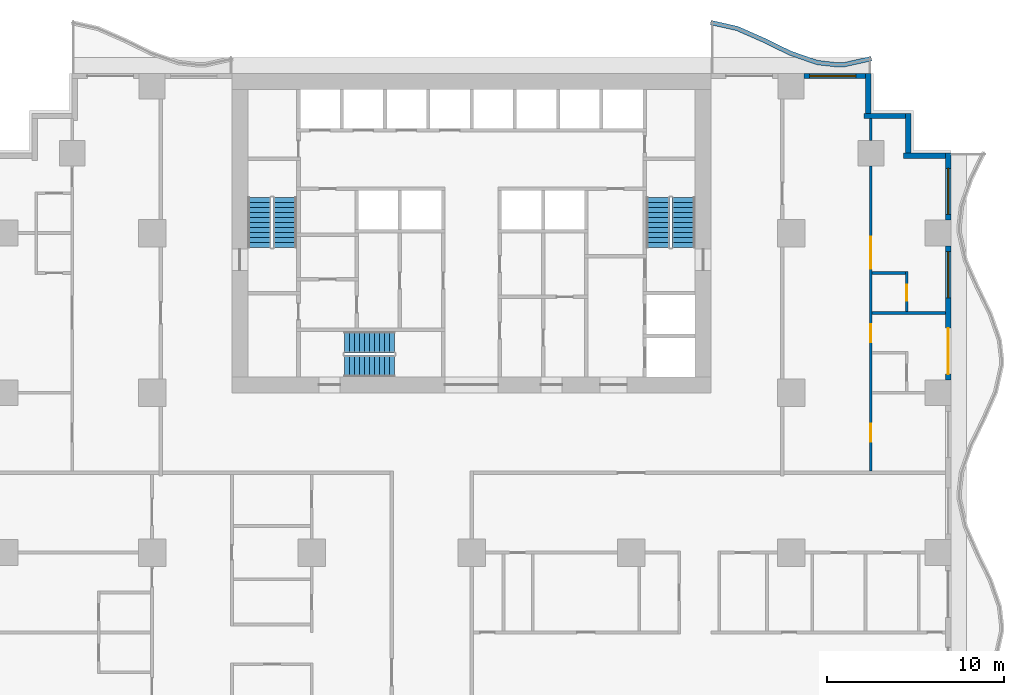
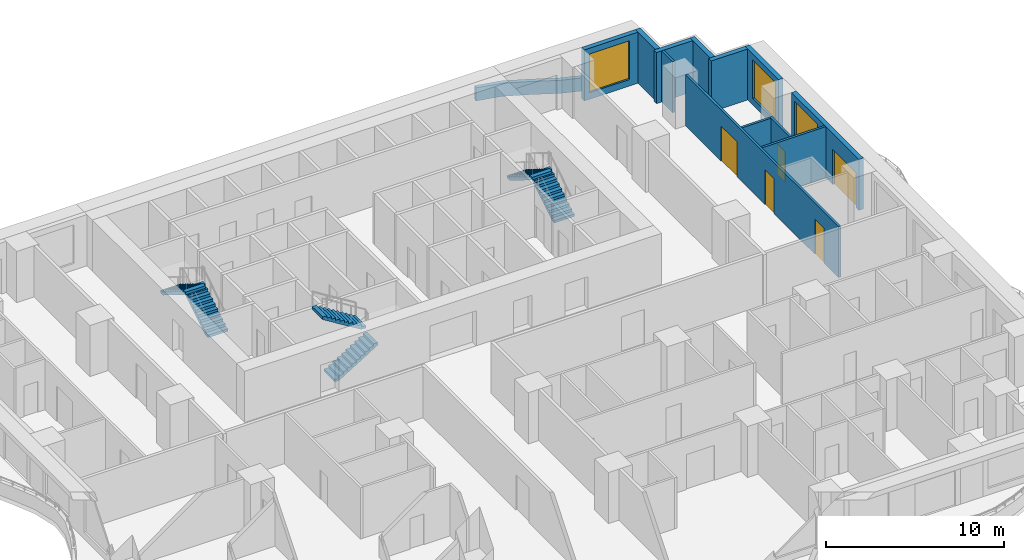
# One storey, part 7 of 14: 13 walls, 6 stair flights, 5 doors, 3 windows, 8 openings, 3 elements without a shape of their own.
"""IFC4 building model written with IfcOpenShell, lengths in metres."""

import ifcopenshell
import ifcopenshell.guid

model = None  # the IFC model being written
_history = None  # IfcOwnerHistory: only IFC2X3 demands one
_inside = {}  # id of a spatial element -> (the spatial element, [elements in it])
_under = {}  # id of a project, library or spatial element -> (it, [spatial elements below it])
_declared = {}  # id of a project -> (the project, [libraries it declares])
_typed = {}  # id of a type object -> (the type object, [elements of that type])
_made_of = {}  # id of a material, layer set ... -> (it, [elements and type objects made of it])


def new_model(schema):
    """Start an empty IFC model of exactly this schema.

    Asked for "IFC4X3", IfcOpenShell would pick the latest addendum, in which some entities
    have other attributes; the version numbers below select the first issue.
    IFC2X3 requires an IfcOwnerHistory on every rooted entity: one is made here for all.
    """
    global model, _history
    if schema == "IFC4X3":
        model = ifcopenshell.file(schema_version=(4, 3, 0, 0))
    else:
        model = ifcopenshell.file(schema=schema)
    _inside.clear()
    _under.clear()
    _declared.clear()
    _typed.clear()
    _made_of.clear()
    _history = None
    if model.schema == "IFC2X3":
        org = make("IfcOrganization", Name="unknown")
        user = make(
            "IfcPersonAndOrganization",
            ThePerson=make("IfcPerson", FamilyName="unknown"),
            TheOrganization=org,
        )
        app = make(
            "IfcApplication",
            ApplicationDeveloper=org,
            Version="unknown",
            ApplicationFullName="unknown",
            ApplicationIdentifier="unknown",
        )
        _history = make(
            "IfcOwnerHistory",
            OwningUser=user,
            OwningApplication=app,
            ChangeAction="ADDED",
            CreationDate=0,
        )
    return model


def make(cls, **values):
    """One entity of the class cls with the attributes given. An attribute that is None is left unset."""
    return model.create_entity(
        cls, **{name: value for name, value in values.items() if value is not None}
    )


def rooted(cls, **values):
    """An entity with a GlobalId (a new one), such as an element, a storey or a relation."""
    return make(cls, GlobalId=ifcopenshell.guid.new(), OwnerHistory=_history, **values)


def si_unit(unit_type, name, prefix=None):
    """IfcSIUnit, for example si_unit("LENGTHUNIT", "METRE", prefix="MILLI")."""
    return make("IfcSIUnit", UnitType=unit_type, Prefix=prefix, Name=name)


def assignment(units):
    """IfcUnitAssignment: the units of a project."""
    return None if units is None else make("IfcUnitAssignment", Units=units)


def point(xyz):
    """IfcCartesianPoint."""
    return None if xyz is None else make("IfcCartesianPoint", Coordinates=xyz)


def direction(xyz):
    """IfcDirection."""
    return None if xyz is None else make("IfcDirection", DirectionRatios=xyz)


def frame(location, z_axis=None, x_axis=None):
    """IfcAxis2Placement3D, a coordinate frame: its origin and axes. An axis left out is left unset."""
    return make(
        "IfcAxis2Placement3D",
        Location=point(location),
        Axis=direction(z_axis),
        RefDirection=direction(x_axis),
    )


def frame_2d(location, x_axis=None):
    """IfcAxis2Placement2D, a coordinate frame in the plane: its origin and x axis."""
    return make(
        "IfcAxis2Placement2D", Location=point(location), RefDirection=direction(x_axis)
    )


def origin():
    """The frame at (0, 0, 0) with its axes left unset."""
    return frame((0.0, 0.0, 0.0))


def place(relative_to, where):
    """IfcLocalPlacement: puts the frame where relative to a parent placement (None: the world)."""
    return make(
        "IfcLocalPlacement", PlacementRelTo=relative_to, RelativePlacement=where
    )


def context(
    kind, dimensions, precision=None, world=None, true_north=None, identifier=None
):
    """IfcGeometricRepresentationContext, for example the 3D "Model" context."""
    return make(
        "IfcGeometricRepresentationContext",
        ContextIdentifier=identifier,
        ContextType=kind,
        CoordinateSpaceDimension=dimensions,
        Precision=precision,
        WorldCoordinateSystem=world,
        TrueNorth=true_north,
    )


def subcontext(parent, identifier, kind, view, scale=None):
    """IfcGeometricRepresentationSubContext, for example "Body" below "Model"."""
    return make(
        "IfcGeometricRepresentationSubContext",
        ContextIdentifier=identifier,
        ContextType=kind,
        ParentContext=parent,
        TargetScale=scale,
        TargetView=view,
    )


def project(units=None, contexts=None):
    """IfcProject with its units and contexts."""
    return rooted(
        "IfcProject",
        Name="project",
        RepresentationContexts=contexts,
        UnitsInContext=assignment(units),
    )


def spatial(cls, under=None, at=None, **own):
    """A site, building, storey or space (cls), placed at a placement, below another one or the project."""
    s = rooted(cls, ObjectPlacement=at, **own)
    if under is not None:
        _under.setdefault(under.id(), (under, []))[1].append(s)
    return s


def polyline(points):
    """IfcPolyline through the points."""
    return make("IfcPolyline", Points=[point(p) for p in points])


def profile(cls, at=None, kind="AREA", **sizes):
    """A parametric profile (cls). Its sizes go by their IFC names, for example OverallWidth=200.0."""
    return make(cls, ProfileType=kind, Position=at, **sizes)


def rectangle(**sizes):
    """IfcRectangleProfileDef."""
    return profile("IfcRectangleProfileDef", **sizes)


def outline(outer, holes=None, kind="AREA"):
    """IfcArbitraryClosedProfileDef: a profile drawn as a closed curve; with holes, ...WithVoids."""
    if holes is None:
        return make("IfcArbitraryClosedProfileDef", ProfileType=kind, OuterCurve=outer)
    return make(
        "IfcArbitraryProfileDefWithVoids",
        ProfileType=kind,
        OuterCurve=outer,
        InnerCurves=holes,
    )


def extrude(swept, where, along, depth):
    """IfcExtrudedAreaSolid: the profile swept, set in the frame where, extruded along a direction by depth."""
    return make(
        "IfcExtrudedAreaSolid",
        SweptArea=swept,
        Position=where,
        ExtrudedDirection=direction(along),
        Depth=depth,
    )


def shape(context_of_items, identifier, shape_type, items):
    """IfcShapeRepresentation: the items that make up one representation, for example the "Body"."""
    return make(
        "IfcShapeRepresentation",
        ContextOfItems=context_of_items,
        RepresentationIdentifier=identifier,
        RepresentationType=shape_type,
        Items=items,
    )


def material(Name=None, Category=None):
    """IfcMaterial."""
    return make("IfcMaterial", Name=Name, Category=Category)


def layer(
    of_material, thickness, ventilated=None, Name=None, Category=None, Priority=None
):
    """IfcMaterialLayer: one layer of a wall or slab, of a material (None: an air gap)."""
    return make(
        "IfcMaterialLayer",
        Material=of_material,
        LayerThickness=thickness,
        IsVentilated=ventilated,
        Name=Name,
        Category=Category,
        Priority=Priority,
    )


def layer_set(layers, Name=None):
    """IfcMaterialLayerSet."""
    return make("IfcMaterialLayerSet", MaterialLayers=layers, LayerSetName=Name)


def made_of(thing, what):
    """Note that an element or type object is made of a material, layer set ...; save() writes the relation."""
    if what is not None:
        _made_of.setdefault(what.id(), (what, []))[1].append(thing)
    return thing


def type_object(cls, material=None, **own):
    """A type object (cls), such as IfcWallType, which elements share."""
    return made_of(rooted(cls, **own), material)


def element(
    cls,
    number,
    at=None,
    inside=None,
    cuts=None,
    type_object=None,
    material=None,
    context=None,
    identifier="Body",
    shape_type=None,
    held_by="IfcProductDefinitionShape",
    body=None,
    shapes=None,
    **own,
):
    """One element of the class cls, such as IfcWall. Its Tag is "e" and its number.

    at: its placement. inside: the storey or other place that contains it. cuts: it is an
    opening in that element (IfcRelVoidsElement). A single representation is given by context,
    identifier, shape_type and body (its items); several are given by shapes. held_by: the class
    of the entity that holds the representations. save() writes the other relations.
    """
    e = rooted(cls, Tag="e%d" % number, ObjectPlacement=at, **own)
    if body is not None:
        shapes = [shape(context, identifier, shape_type, body)]
    if shapes is not None:
        e.Representation = make(held_by, Representations=shapes)
    if inside is not None:
        _inside.setdefault(inside.id(), (inside, []))[1].append(e)
    if cuts is not None:
        rooted(
            "IfcRelVoidsElement", RelatingBuildingElement=cuts, RelatedOpeningElement=e
        )
    if type_object is not None:
        _typed.setdefault(type_object.id(), (type_object, []))[1].append(e)
    return made_of(e, material)


def fill(opening, filler):
    """IfcRelFillsElement: the door or window that sits in an opening."""
    return rooted(
        "IfcRelFillsElement",
        RelatingOpeningElement=opening,
        RelatedBuildingElement=filler,
    )


def aggregate(whole, parts):
    """IfcRelAggregates: a whole, such as a stair, and the parts it consists of."""
    return rooted("IfcRelAggregates", RelatingObject=whole, RelatedObjects=parts)


def save(model, path):
    """Write the relations noted so far, then the file.

    IfcRelAggregates (storeys below a building ...), IfcRelContainedInSpatialStructure (elements
    in a storey), IfcRelDefinesByType, IfcRelAssociatesMaterial and IfcRelDeclares: one each for
    every whole, place, type object, material and project.
    """
    for whole, parts in _under.values():
        aggregate(whole, parts)
    for where, things in _inside.values():
        rooted(
            "IfcRelContainedInSpatialStructure",
            RelatedElements=things,
            RelatingStructure=where,
        )
    for kind, things in _typed.values():
        rooted("IfcRelDefinesByType", RelatedObjects=things, RelatingType=kind)
    for what, things in _made_of.values():
        rooted("IfcRelAssociatesMaterial", RelatedObjects=things, RelatingMaterial=what)
    for by, libraries in _declared.values():
        rooted("IfcRelDeclares", RelatingContext=by, RelatedDefinitions=libraries)
    model.write(path)


model = new_model("IFC4")

# Units and contexts
model_context = context("Model", 3, precision=1e-05, world=origin(), true_north=direction((0.0, 1.0)))
body_context = subcontext(model_context, "Body", "Model", "MODEL_VIEW")
ifc_project = project(units=[si_unit("LENGTHUNIT", "METRE"), si_unit("AREAUNIT", "SQUARE_METRE"), si_unit("VOLUMEUNIT", "CUBIC_METRE"), si_unit("PLANEANGLEUNIT", "RADIAN"), si_unit("MASSUNIT", "GRAM", prefix="KILO")], contexts=[model_context])

# Site, building, storey
site_placement = place(None, origin())
site = spatial("IfcSite", under=ifc_project, at=site_placement, CompositionType="ELEMENT")
building_placement = place(site_placement, origin())
building = spatial("IfcBuilding", under=site, at=building_placement, Name="Orbiselva Terraces", CompositionType="ELEMENT")
storey_placement = place(building_placement, frame((0.0, 0.0, 34.0)))
storey = spatial("IfcBuildingStorey", under=building, at=storey_placement, Name="L08", CompositionType="ELEMENT", Elevation=34.0)

# Wall
ifc_material_1 = material(Name="Concrete C40/50", Category="concrete")
ifc_layer_1 = layer(ifc_material_1, 0.25)
ifc_layer_set_1 = layer_set([ifc_layer_1], Name="Concrete C40/50")
wall_type_1 = type_object("IfcWallType", Name="ENV-PLANTER-250x900", PredefinedType="USERDEFINED", material=ifc_layer_set_1)
wall_1_placement = place(storey_placement, origin())
element("IfcWall", 1, at=wall_1_placement, inside=storey, type_object=wall_type_1, Name="Balcony planter L08 NE", ObjectType="PLANTER", PredefinedType="USERDEFINED", context=body_context, shape_type="SweptSolid", body=[
    extrude(outline(polyline([(22.5, 23.451472), (21.0, 23.114774), (20.625, 23.1), (19.5, 23.230792), (18.0, 23.755211), (16.5, 24.487721), (15.0, 25.148528), (13.5, 25.485226), (13.445246, 25.241296), (14.921492, 24.90993), (16.394714, 24.260919), (17.90356, 23.524089), (19.443629, 22.985662), (20.615428, 22.849429), (21.032565, 22.865863), (22.554754, 23.207542), (22.5, 23.451472)])), origin(), (0.0, 0.0, 1.0), 0.9),
])

# Wall, openings, door, window
ifc_material_2 = material(Name="Terracotta cladding on masonry backing", Category="masonry")
ifc_layer_2 = layer(ifc_material_2, 0.3)
ifc_layer_set_2 = layer_set([ifc_layer_2], Name="Terracotta cladding on masonry backing")
wall_type_2 = type_object("IfcWallType", Name="ENV-WALL-TERRACOTTA-300", PredefinedType="SOLIDWALL", material=ifc_layer_set_2)
wall_2_placement = place(storey_placement, frame((26.85, 12.775, 0.0), z_axis=(0.0, 0.0, 1.0), x_axis=(0.0, -1.0, 0.0)))
wall_2 = element("IfcWall", 2, at=wall_2_placement, inside=storey, type_object=wall_type_2, Name="Facade wall L08 E", PredefinedType="SOLIDWALL", context=body_context, shape_type="SweptSolid", body=[
    extrude(rectangle(XDim=7.55, YDim=0.3, at=frame_2d((3.775, 0.0))), origin(), (0.0, 0.0, 1.0), 3.5),
])
opening_1_placement = place(wall_2_placement, frame((4.625, 0.0, 0.0)))
opening_1 = element("IfcOpeningElement", 3, at=opening_1_placement, cuts=wall_2, Name="Opening Z1-B-E14", PredefinedType="OPENING", context=body_context, shape_type="SweptSolid", body=[
    extrude(rectangle(XDim=2.6, YDim=2.4, at=frame_2d((1.3, 1.2))), frame((0.0, 0.16, 0.0), z_axis=(0.0, -1.0, 0.0), x_axis=(1.0, 0.0, 0.0)), (0.0, 0.0, 1.0), 0.32),
])
opening_2_placement = place(wall_2_placement, frame((0.325, 0.0, 0.45)))
opening_2 = element("IfcOpeningElement", 4, at=opening_2_placement, cuts=wall_2, Name="Opening WN1", PredefinedType="OPENING", context=body_context, shape_type="SweptSolid", body=[
    extrude(rectangle(XDim=2.6, YDim=2.65, at=frame_2d((1.3, 1.325))), frame((0.0, 0.16, 0.0), z_axis=(0.0, -1.0, 0.0), x_axis=(1.0, 0.0, 0.0)), (0.0, 0.0, 1.0), 0.32),
])
ifc_material_3 = material(Name="Clear low-e glazing in aluminium frame", Category="aluminium")
door_type_1 = type_object("IfcDoorType", Name="BALCONY DOOR 2600 X 2400", OperationType="DOUBLE_DOOR_SLIDING", PredefinedType="DOOR", material=ifc_material_3)
door_1_placement = place(opening_1_placement, origin())
door_1 = element("IfcDoor", 5, at=door_1_placement, inside=storey, type_object=door_type_1, Name="Z1-B-E14", OperationType="SINGLE_SWING_LEFT", OverallHeight=2.4, OverallWidth=2.6, PredefinedType="DOOR", context=body_context, shape_type="SweptSolid", body=[
    extrude(rectangle(XDim=2.6, YDim=2.4, at=frame_2d((1.3, 1.2))), frame((0.0, 0.025, 0.0), z_axis=(0.0, -1.0, 0.0), x_axis=(1.0, 0.0, 0.0)), (0.0, 0.0, 1.0), 0.05),
])
fill(opening_1, door_1)
window_type = type_object("IfcWindowType", Name="WINDOW 2600 X 2650 S450", PartitioningType="TRIPLE_PANEL_VERTICAL", PredefinedType="WINDOW", material=ifc_material_3)
window_1_placement = place(opening_2_placement, origin())
window_1 = element("IfcWindow", 6, at=window_1_placement, inside=storey, type_object=window_type, Name="Window L08 E", OverallHeight=2.65, OverallWidth=2.6, PartitioningType="SINGLE_PANEL", PredefinedType="WINDOW", context=body_context, shape_type="SweptSolid", body=[
    extrude(rectangle(XDim=2.6, YDim=2.65, at=frame_2d((1.3, 1.325))), frame((0.0, 0.03, 0.0), z_axis=(0.0, -1.0, 0.0), x_axis=(1.0, 0.0, 0.0)), (0.0, 0.0, 1.0), 0.06),
])
fill(opening_2, window_1)

# Wall, opening, window
wall_3_placement = place(storey_placement, frame((26.85, 18.0, 0.0), z_axis=(0.0, 0.0, 1.0), x_axis=(0.0, -1.0, 0.0)))
wall_3 = element("IfcWall", 7, at=wall_3_placement, inside=storey, type_object=wall_type_2, Name="Facade wall L08 E", PredefinedType="SOLIDWALL", context=body_context, shape_type="SweptSolid", body=[
    extrude(rectangle(XDim=3.775, YDim=0.3, at=frame_2d((1.8875, 0.0))), origin(), (0.0, 0.0, 1.0), 3.5),
])
opening_3_placement = place(wall_3_placement, frame((0.85, 0.0, 0.45)))
opening_3 = element("IfcOpeningElement", 8, at=opening_3_placement, cuts=wall_3, Name="Opening WN1", PredefinedType="OPENING", context=body_context, shape_type="SweptSolid", body=[
    extrude(rectangle(XDim=2.6, YDim=2.65, at=frame_2d((1.3, 1.325))), frame((0.0, 0.16, 0.0), z_axis=(0.0, -1.0, 0.0), x_axis=(1.0, 0.0, 0.0)), (0.0, 0.0, 1.0), 0.32),
])
window_2_placement = place(opening_3_placement, origin())
window_2 = element("IfcWindow", 9, at=window_2_placement, inside=storey, type_object=window_type, Name="Window L08 E", OverallHeight=2.65, OverallWidth=2.6, PartitioningType="SINGLE_PANEL", PredefinedType="WINDOW", context=body_context, shape_type="SweptSolid", body=[
    extrude(rectangle(XDim=2.6, YDim=2.65, at=frame_2d((1.3, 1.325))), frame((0.0, 0.03, 0.0), z_axis=(0.0, -1.0, 0.0), x_axis=(1.0, 0.0, 0.0)), (0.0, 0.0, 1.0), 0.06),
])
fill(opening_3, window_2)

# Walls
wall_4_placement = place(storey_placement, frame((24.35, 17.85, 0.0), z_axis=(0.0, 0.0, 1.0), x_axis=(1.0, 0.0, 0.0)))
element("IfcWall", 10, at=wall_4_placement, inside=storey, type_object=wall_type_2, Name="Facade wall L08 STEP", PredefinedType="SOLIDWALL", context=body_context, shape_type="SweptSolid", body=[
    extrude(rectangle(XDim=2.35, YDim=0.3, at=frame_2d((1.175, 0.0))), origin(), (0.0, 0.0, 1.0), 3.5),
])
wall_5_placement = place(storey_placement, frame((24.6, 20.25, 0.0), z_axis=(0.0, 0.0, 1.0), x_axis=(0.0, -1.0, 0.0)))
element("IfcWall", 11, at=wall_5_placement, inside=storey, type_object=wall_type_2, Name="Facade wall L08 STEP", PredefinedType="SOLIDWALL", context=body_context, shape_type="SweptSolid", body=[
    extrude(rectangle(XDim=2.25, YDim=0.3, at=frame_2d((1.125, 0.0))), origin(), (0.0, 0.0, 1.0), 3.5),
])
wall_6_placement = place(storey_placement, frame((22.1, 20.1, 0.0), z_axis=(0.0, 0.0, 1.0), x_axis=(1.0, 0.0, 0.0)))
element("IfcWall", 12, at=wall_6_placement, inside=storey, type_object=wall_type_2, Name="Facade wall L08 STEP", PredefinedType="SOLIDWALL", context=body_context, shape_type="SweptSolid", body=[
    extrude(rectangle(XDim=2.35, YDim=0.3, at=frame_2d((1.175, 0.0))), origin(), (0.0, 0.0, 1.0), 3.5),
])
wall_7_placement = place(storey_placement, frame((22.35, 22.5, 0.0), z_axis=(0.0, 0.0, 1.0), x_axis=(0.0, -1.0, 0.0)))
element("IfcWall", 13, at=wall_7_placement, inside=storey, type_object=wall_type_2, Name="Facade wall L08 STEP", PredefinedType="SOLIDWALL", context=body_context, shape_type="SweptSolid", body=[
    extrude(rectangle(XDim=2.25, YDim=0.3, at=frame_2d((1.125, 0.0))), origin(), (0.0, 0.0, 1.0), 3.5),
])

# Wall, opening, window
wall_8_placement = place(storey_placement, frame((18.725, 22.35, 0.0), z_axis=(0.0, 0.0, 1.0), x_axis=(1.0, 0.0, 0.0)))
wall_8 = element("IfcWall", 14, at=wall_8_placement, inside=storey, type_object=wall_type_2, Name="Facade wall L08 NE", PredefinedType="SOLIDWALL", context=body_context, shape_type="SweptSolid", body=[
    extrude(rectangle(XDim=3.475, YDim=0.3, at=frame_2d((1.7375, 0.0))), origin(), (0.0, 0.0, 1.0), 3.5),
])
opening_4_placement = place(wall_8_placement, frame((0.325, 0.0, 0.45)))
opening_4 = element("IfcOpeningElement", 15, at=opening_4_placement, cuts=wall_8, Name="Opening WN1", PredefinedType="OPENING", context=body_context, shape_type="SweptSolid", body=[
    extrude(rectangle(XDim=2.6, YDim=2.65, at=frame_2d((1.3, 1.325))), frame((0.0, 0.16, 0.0), z_axis=(0.0, -1.0, 0.0), x_axis=(1.0, 0.0, 0.0)), (0.0, 0.0, 1.0), 0.32),
])
window_3_placement = place(opening_4_placement, origin())
window_3 = element("IfcWindow", 16, at=window_3_placement, inside=storey, type_object=window_type, Name="Window L08 NE", OverallHeight=2.65, OverallWidth=2.6, PartitioningType="SINGLE_PANEL", PredefinedType="WINDOW", context=body_context, shape_type="SweptSolid", body=[
    extrude(rectangle(XDim=2.6, YDim=2.65, at=frame_2d((1.3, 1.325))), frame((0.0, 0.03, 0.0), z_axis=(0.0, -1.0, 0.0), x_axis=(1.0, 0.0, 0.0)), (0.0, 0.0, 1.0), 0.06),
])
fill(opening_4, window_3)

# Walls
ifc_material_4 = material(Name="Plasterboard on steel stud partition", Category="steel")
ifc_layer_3 = layer(ifc_material_4, 0.15)
ifc_layer_set_3 = layer_set([ifc_layer_3], Name="Plasterboard on steel stud partition")
wall_type_3 = type_object("IfcWallType", Name="UNIT-PARTITION-150", PredefinedType="PARTITIONING", material=ifc_layer_set_3)
wall_9_placement = place(storey_placement, frame((22.575, 9.0, 0.0), z_axis=(0.0, 0.0, 1.0), x_axis=(1.0, 0.0, 0.0)))
element("IfcWall", 17, at=wall_9_placement, inside=storey, type_object=wall_type_3, Name="PARTITION L08-035", PredefinedType="PARTITIONING", context=body_context, shape_type="SweptSolid", body=[
    extrude(rectangle(XDim=4.125, YDim=0.15, at=frame_2d((2.0625, 0.0))), origin(), (0.0, 0.0, 1.0), 3.5),
])
wall_10_placement = place(storey_placement, frame((22.575, 11.25, 0.0), z_axis=(0.0, 0.0, 1.0), x_axis=(1.0, 0.0, 0.0)))
element("IfcWall", 18, at=wall_10_placement, inside=storey, type_object=wall_type_3, Name="PARTITION L08-037", PredefinedType="PARTITIONING", context=body_context, shape_type="SweptSolid", body=[
    extrude(rectangle(XDim=1.875, YDim=0.15, at=frame_2d((0.9375, 0.0))), origin(), (0.0, 0.0, 1.0), 3.5),
])

# Wall, openings, doors
wall_11_placement = place(storey_placement, frame((22.5, 17.275, 0.0), z_axis=(0.0, 0.0, 1.0), x_axis=(0.0, -1.0, 0.0)))
wall_11 = element("IfcWall", 19, at=wall_11_placement, inside=storey, type_object=wall_type_3, Name="PARTITION L08-082", PredefinedType="PARTITIONING", context=body_context, shape_type="SweptSolid", body=[
    extrude(rectangle(XDim=17.175, YDim=0.15, at=frame_2d((8.5875, 0.0))), origin(), (0.0, 0.0, 1.0), 3.5),
])
opening_5_placement = place(wall_11_placement, frame((14.525, 0.0, 0.0)))
opening_5 = element("IfcOpeningElement", 20, at=opening_5_placement, cuts=wall_11, Name="Opening Z1-B-08", PredefinedType="OPENING", context=body_context, shape_type="SweptSolid", body=[
    extrude(rectangle(XDim=1.0, YDim=2.4, at=frame_2d((0.5, 1.2))), frame((0.0, 0.085, 0.0), z_axis=(0.0, -1.0, 0.0), x_axis=(1.0, 0.0, 0.0)), (0.0, 0.0, 1.0), 0.17),
])
opening_6_placement = place(wall_11_placement, frame((8.925, 0.0, 0.0)))
opening_6 = element("IfcOpeningElement", 21, at=opening_6_placement, cuts=wall_11, Name="Opening Z1-B-09", PredefinedType="OPENING", context=body_context, shape_type="SweptSolid", body=[
    extrude(rectangle(XDim=1.0, YDim=2.4, at=frame_2d((0.5, 1.2))), frame((0.0, 0.085, 0.0), z_axis=(0.0, -1.0, 0.0), x_axis=(1.0, 0.0, 0.0)), (0.0, 0.0, 1.0), 0.17),
])
opening_7_placement = place(wall_11_placement, frame((3.975, 0.0, 0.0)))
opening_7 = element("IfcOpeningElement", 22, at=opening_7_placement, cuts=wall_11, Name="Opening Z1-B-11", PredefinedType="OPENING", context=body_context, shape_type="SweptSolid", body=[
    extrude(rectangle(XDim=1.8, YDim=2.4, at=frame_2d((0.9, 1.2))), frame((0.0, 0.085, 0.0), z_axis=(0.0, -1.0, 0.0), x_axis=(1.0, 0.0, 0.0)), (0.0, 0.0, 1.0), 0.17),
])
ifc_material_5 = material(Name="Painted timber door leaf", Category="wood")
door_type_2 = type_object("IfcDoorType", Name="DOUBLE DOOR 1800", OperationType="NOTDEFINED", PredefinedType="DOOR", material=ifc_material_5)
door_2_placement = place(opening_7_placement, origin())
door_2 = element("IfcDoor", 23, at=door_2_placement, inside=storey, type_object=door_type_2, Name="Z1-B-11", OperationType="DOUBLE_DOOR_SINGLE_SWING", OverallHeight=2.4, OverallWidth=1.8, PredefinedType="DOOR", context=body_context, shape_type="SweptSolid", body=[
    extrude(rectangle(XDim=1.8, YDim=2.4, at=frame_2d((0.9, 1.2))), frame((0.0, 0.025, 0.0), z_axis=(0.0, -1.0, 0.0), x_axis=(1.0, 0.0, 0.0)), (0.0, 0.0, 1.0), 0.05),
])
fill(opening_7, door_2)
door_type_3 = type_object("IfcDoorType", Name="ROOM DOOR 1000", OperationType="NOTDEFINED", PredefinedType="DOOR", material=ifc_material_5)
door_3_placement = place(opening_5_placement, origin())
door_3 = element("IfcDoor", 24, at=door_3_placement, inside=storey, type_object=door_type_3, Name="Z1-B-08", OperationType="SINGLE_SWING_RIGHT", OverallHeight=2.4, OverallWidth=1.0, PredefinedType="DOOR", context=body_context, shape_type="SweptSolid", body=[
    extrude(rectangle(XDim=1.0, YDim=2.4, at=frame_2d((0.5, 1.2))), frame((0.0, 0.025, 0.0), z_axis=(0.0, -1.0, 0.0), x_axis=(1.0, 0.0, 0.0)), (0.0, 0.0, 1.0), 0.05),
])
fill(opening_5, door_3)
door_4_placement = place(opening_6_placement, origin())
door_4 = element("IfcDoor", 25, at=door_4_placement, inside=storey, type_object=door_type_3, Name="Z1-B-09", OperationType="SINGLE_SWING_RIGHT", OverallHeight=2.4, OverallWidth=1.0, PredefinedType="DOOR", context=body_context, shape_type="SweptSolid", body=[
    extrude(rectangle(XDim=1.0, YDim=2.4, at=frame_2d((0.5, 1.2))), frame((0.0, 0.025, 0.0), z_axis=(0.0, -1.0, 0.0), x_axis=(1.0, 0.0, 0.0)), (0.0, 0.0, 1.0), 0.05),
])
fill(opening_6, door_4)

# Wall
wall_12_placement = place(storey_placement, frame((22.5, 18.725, 0.0), z_axis=(0.0, 0.0, 1.0), x_axis=(0.0, 1.0, 0.0)))
element("IfcWall", 26, at=wall_12_placement, inside=storey, type_object=wall_type_3, Name="PARTITION L08-083", PredefinedType="PARTITIONING", context=body_context, shape_type="SweptSolid", body=[
    extrude(rectangle(XDim=1.225, YDim=0.15, at=frame_2d((0.6125, 0.0))), origin(), (0.0, 0.0, 1.0), 3.5),
])

# Wall, opening, door
wall_13_placement = place(storey_placement, frame((24.525, 9.075, 0.0), z_axis=(0.0, 0.0, 1.0), x_axis=(0.0, 1.0, 0.0)))
wall_13 = element("IfcWall", 27, at=wall_13_placement, inside=storey, type_object=wall_type_3, Name="PARTITION L08-085", PredefinedType="PARTITIONING", context=body_context, shape_type="SweptSolid", body=[
    extrude(rectangle(XDim=2.25, YDim=0.15, at=frame_2d((1.125, 0.0))), origin(), (0.0, 0.0, 1.0), 3.5),
])
opening_8_placement = place(wall_13_placement, frame((0.6, 0.0, 0.0)))
opening_8 = element("IfcOpeningElement", 28, at=opening_8_placement, cuts=wall_13, Name="Opening Z1-B-12", PredefinedType="OPENING", context=body_context, shape_type="SweptSolid", body=[
    extrude(rectangle(XDim=0.9, YDim=2.1, at=frame_2d((0.45, 1.05))), frame((0.0, 0.085, 0.0), z_axis=(0.0, -1.0, 0.0), x_axis=(1.0, 0.0, 0.0)), (0.0, 0.0, 1.0), 0.17),
])
door_type_4 = type_object("IfcDoorType", Name="BATH DOOR 900", OperationType="NOTDEFINED", PredefinedType="DOOR", material=ifc_material_5)
door_5_placement = place(opening_8_placement, origin())
door_5 = element("IfcDoor", 29, at=door_5_placement, inside=storey, type_object=door_type_4, Name="Z1-B-12", OperationType="SINGLE_SWING_LEFT", OverallHeight=2.1, OverallWidth=0.9, PredefinedType="DOOR", context=body_context, shape_type="SweptSolid", body=[
    extrude(rectangle(XDim=0.9, YDim=2.1, at=frame_2d((0.45, 1.05))), frame((0.0, 0.025, 0.0), z_axis=(0.0, -1.0, 0.0), x_axis=(1.0, 0.0, 0.0)), (0.0, 0.0, 1.0), 0.05),
])
fill(opening_8, door_5)

# Stair, stair flights
stair_type_1 = type_object("IfcStairType", Name="CORE-STAIR-1200", PredefinedType="HALF_TURN_STAIR", material=ifc_material_1)
stair_1_placement = place(storey_placement, origin())
stair_1 = element("IfcStair", 30, at=stair_1_placement, inside=storey, type_object=stair_type_1, Name="L08 Exit Stair S3", PredefinedType="HALF_TURN_STAIR")
stair_flight_type_1 = type_object("IfcStairFlightType", Name="CORE-STAIR-FLIGHT-1200", PredefinedType="STRAIGHT", material=ifc_material_1)
stair_flight_1_placement = place(storey_placement, frame((-7.15, 6.0, 0.0), z_axis=(0.0, 0.0, 1.0), x_axis=(1.0, 0.0, 0.0)))
stair_flight_1 = element("IfcStairFlight", 31, at=stair_flight_1_placement, type_object=stair_flight_type_1, Name="S3 flight 1", NumberOfRisers=11, NumberOfTreads=10, PredefinedType="STRAIGHT", RiserHeight=0.172727273, TreadLength=0.28, context=body_context, shape_type="SweptSolid", body=[
    extrude(outline(polyline([(0.0, 0.0), (0.0, 0.172727), (0.28, 0.172727), (0.28, 0.345455), (0.56, 0.345455), (0.56, 0.518182), (0.84, 0.518182), (0.84, 0.690909), (1.12, 0.690909), (1.12, 0.863636), (1.4, 0.863636), (1.4, 1.036364), (1.68, 1.036364), (1.68, 1.209091), (1.96, 1.209091), (1.96, 1.381818), (2.24, 1.381818), (2.24, 1.554545), (2.52, 1.554545), (2.52, 1.727273), (2.8, 1.727273), (2.8, 1.9), (2.8, 1.551028), (0.285702, 0.0), (0.0, 0.0)])), frame((0.0, 0.6, 0.0), z_axis=(0.0, -1.0, 0.0), x_axis=(1.0, 0.0, 0.0)), (0.0, 0.0, 1.0), 1.2),
])
stair_flight_2_placement = place(storey_placement, frame((-4.35, 7.35, 1.9), z_axis=(0.0, 0.0, 1.0), x_axis=(-1.0, 0.0, 0.0)))
stair_flight_2 = element("IfcStairFlight", 32, at=stair_flight_2_placement, type_object=stair_flight_type_1, Name="S3 flight 2", NumberOfRisers=11, NumberOfTreads=10, PredefinedType="STRAIGHT", RiserHeight=0.172727273, TreadLength=0.28, context=body_context, shape_type="SweptSolid", body=[
    extrude(outline(polyline([(0.0, 0.0), (0.0, 0.172727), (0.28, 0.172727), (0.28, 0.345455), (0.56, 0.345455), (0.56, 0.518182), (0.84, 0.518182), (0.84, 0.690909), (1.12, 0.690909), (1.12, 0.863636), (1.4, 0.863636), (1.4, 1.036364), (1.68, 1.036364), (1.68, 1.209091), (1.96, 1.209091), (1.96, 1.381818), (2.24, 1.381818), (2.24, 1.554545), (2.52, 1.554545), (2.52, 1.727273), (2.8, 1.727273), (2.8, 1.9), (2.8, 1.551028), (0.285702, 0.0), (0.0, 0.0)])), frame((0.0, 0.6, 0.0), z_axis=(0.0, -1.0, 0.0), x_axis=(1.0, 0.0, 0.0)), (0.0, 0.0, 1.0), 1.2),
])
aggregate(stair_1, [stair_flight_1, stair_flight_2])

stair_type_2 = type_object("IfcStairType", Name="CORE-STAIR-1300", PredefinedType="HALF_TURN_STAIR", material=ifc_material_1)
stair_2_placement = place(storey_placement, origin())
stair_2 = element("IfcStair", 33, at=stair_2_placement, inside=storey, type_object=stair_type_2, Name="L08 Exit Stair S1", PredefinedType="HALF_TURN_STAIR")
stair_flight_type_2 = type_object("IfcStairFlightType", Name="CORE-STAIR-FLIGHT-1300", PredefinedType="STRAIGHT", material=ifc_material_1)
stair_flight_3_placement = place(storey_placement, frame((-10.5, 12.7, 0.0), z_axis=(0.0, 0.0, 1.0), x_axis=(0.0, 1.0, 0.0)))
stair_flight_3 = element("IfcStairFlight", 34, at=stair_flight_3_placement, type_object=stair_flight_type_2, Name="S1 flight 1", NumberOfRisers=11, NumberOfTreads=10, PredefinedType="STRAIGHT", RiserHeight=0.172727273, TreadLength=0.28, context=body_context, shape_type="SweptSolid", body=[
    extrude(outline(polyline([(0.0, 0.0), (0.0, 0.172727), (0.28, 0.172727), (0.28, 0.345455), (0.56, 0.345455), (0.56, 0.518182), (0.84, 0.518182), (0.84, 0.690909), (1.12, 0.690909), (1.12, 0.863636), (1.4, 0.863636), (1.4, 1.036364), (1.68, 1.036364), (1.68, 1.209091), (1.96, 1.209091), (1.96, 1.381818), (2.24, 1.381818), (2.24, 1.554545), (2.52, 1.554545), (2.52, 1.727273), (2.8, 1.727273), (2.8, 1.9), (2.8, 1.551028), (0.285702, 0.0), (0.0, 0.0)])), frame((0.0, 0.65, 0.0), z_axis=(0.0, -1.0, 0.0), x_axis=(1.0, 0.0, 0.0)), (0.0, 0.0, 1.0), 1.3),
])
stair_flight_4_placement = place(storey_placement, frame((-11.95, 15.5, 1.9), z_axis=(0.0, 0.0, 1.0), x_axis=(0.0, -1.0, 0.0)))
stair_flight_4 = element("IfcStairFlight", 35, at=stair_flight_4_placement, type_object=stair_flight_type_2, Name="S1 flight 2", NumberOfRisers=11, NumberOfTreads=10, PredefinedType="STRAIGHT", RiserHeight=0.172727273, TreadLength=0.28, context=body_context, shape_type="SweptSolid", body=[
    extrude(outline(polyline([(0.0, 0.0), (0.0, 0.172727), (0.28, 0.172727), (0.28, 0.345455), (0.56, 0.345455), (0.56, 0.518182), (0.84, 0.518182), (0.84, 0.690909), (1.12, 0.690909), (1.12, 0.863636), (1.4, 0.863636), (1.4, 1.036364), (1.68, 1.036364), (1.68, 1.209091), (1.96, 1.209091), (1.96, 1.381818), (2.24, 1.381818), (2.24, 1.554545), (2.52, 1.554545), (2.52, 1.727273), (2.8, 1.727273), (2.8, 1.9), (2.8, 1.551028), (0.285702, 0.0), (0.0, 0.0)])), frame((0.0, 0.65, 0.0), z_axis=(0.0, -1.0, 0.0), x_axis=(1.0, 0.0, 0.0)), (0.0, 0.0, 1.0), 1.3),
])
aggregate(stair_2, [stair_flight_3, stair_flight_4])

stair_3_placement = place(storey_placement, origin())
stair_3 = element("IfcStair", 36, at=stair_3_placement, inside=storey, type_object=stair_type_2, Name="L08 Exit Stair S2", PredefinedType="HALF_TURN_STAIR")
stair_flight_5_placement = place(storey_placement, frame((11.95, 12.7, 0.0), z_axis=(0.0, 0.0, 1.0), x_axis=(0.0, 1.0, 0.0)))
stair_flight_5 = element("IfcStairFlight", 37, at=stair_flight_5_placement, type_object=stair_flight_type_2, Name="S2 flight 1", NumberOfRisers=11, NumberOfTreads=10, PredefinedType="STRAIGHT", RiserHeight=0.172727273, TreadLength=0.28, context=body_context, shape_type="SweptSolid", body=[
    extrude(outline(polyline([(0.0, 0.0), (0.0, 0.172727), (0.28, 0.172727), (0.28, 0.345455), (0.56, 0.345455), (0.56, 0.518182), (0.84, 0.518182), (0.84, 0.690909), (1.12, 0.690909), (1.12, 0.863636), (1.4, 0.863636), (1.4, 1.036364), (1.68, 1.036364), (1.68, 1.209091), (1.96, 1.209091), (1.96, 1.381818), (2.24, 1.381818), (2.24, 1.554545), (2.52, 1.554545), (2.52, 1.727273), (2.8, 1.727273), (2.8, 1.9), (2.8, 1.551028), (0.285702, 0.0), (0.0, 0.0)])), frame((0.0, 0.65, 0.0), z_axis=(0.0, -1.0, 0.0), x_axis=(1.0, 0.0, 0.0)), (0.0, 0.0, 1.0), 1.3),
])
stair_flight_6_placement = place(storey_placement, frame((10.5, 15.5, 1.9), z_axis=(0.0, 0.0, 1.0), x_axis=(0.0, -1.0, 0.0)))
stair_flight_6 = element("IfcStairFlight", 38, at=stair_flight_6_placement, type_object=stair_flight_type_2, Name="S2 flight 2", NumberOfRisers=11, NumberOfTreads=10, PredefinedType="STRAIGHT", RiserHeight=0.172727273, TreadLength=0.28, context=body_context, shape_type="SweptSolid", body=[
    extrude(outline(polyline([(0.0, 0.0), (0.0, 0.172727), (0.28, 0.172727), (0.28, 0.345455), (0.56, 0.345455), (0.56, 0.518182), (0.84, 0.518182), (0.84, 0.690909), (1.12, 0.690909), (1.12, 0.863636), (1.4, 0.863636), (1.4, 1.036364), (1.68, 1.036364), (1.68, 1.209091), (1.96, 1.209091), (1.96, 1.381818), (2.24, 1.381818), (2.24, 1.554545), (2.52, 1.554545), (2.52, 1.727273), (2.8, 1.727273), (2.8, 1.9), (2.8, 1.551028), (0.285702, 0.0), (0.0, 0.0)])), frame((0.0, 0.65, 0.0), z_axis=(0.0, -1.0, 0.0), x_axis=(1.0, 0.0, 0.0)), (0.0, 0.0, 1.0), 1.3),
])
aggregate(stair_3, [stair_flight_5, stair_flight_6])

save(model, "model.ifc")
